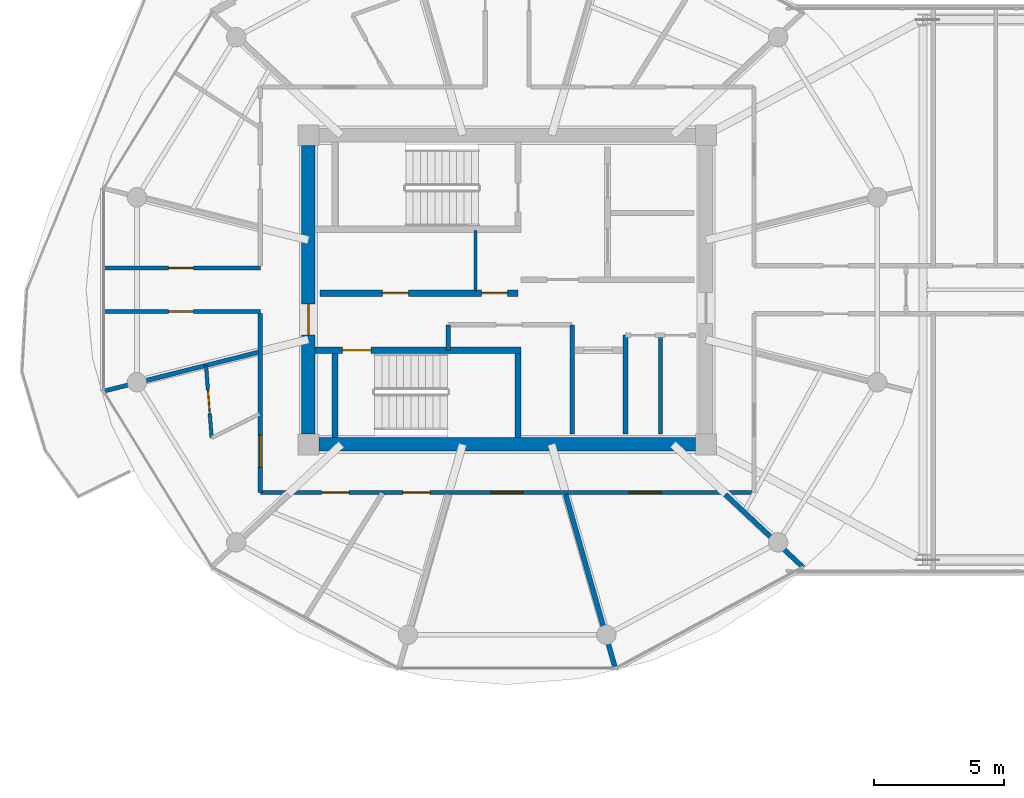
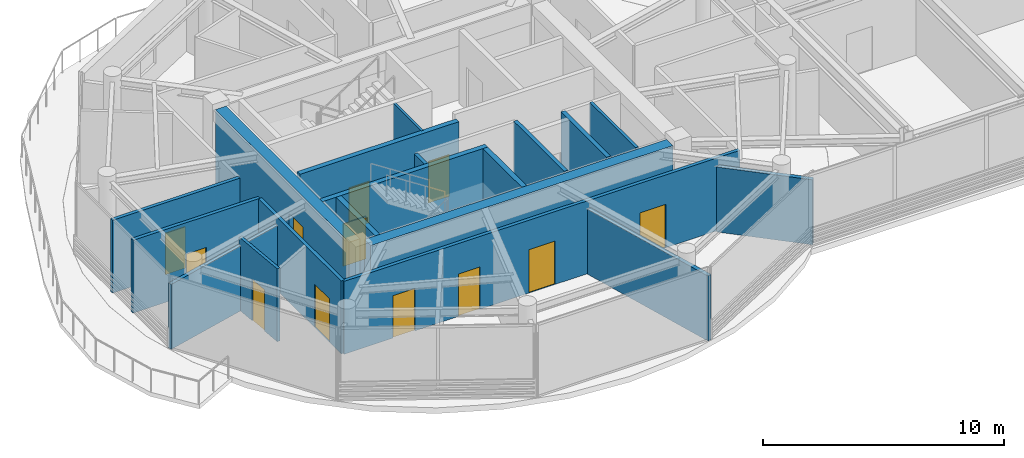
# One storey, part 13 of 24: 19 walls, 12 doors, 12 openings.
"""IFC4 building model written with IfcOpenShell, lengths in metres."""

from ifc_helpers import new_model, si_unit, direction, frame, frame_2d, origin, place, context, subcontext, project, spatial, rectangle, extrude, source, transform, mapped, material, layer, layer_set, type_object, type_shapes, element, fill, save


model = new_model("IFC4")

# Units and contexts
model_context = context("Model", 3, precision=1e-05, world=origin(), true_north=direction((0.0, 1.0)))
body_context = subcontext(model_context, "Body", "Model", "MODEL_VIEW")
ifc_project = project(units=[si_unit("LENGTHUNIT", "METRE"), si_unit("AREAUNIT", "SQUARE_METRE"), si_unit("VOLUMEUNIT", "CUBIC_METRE"), si_unit("PLANEANGLEUNIT", "RADIAN"), si_unit("MASSUNIT", "GRAM", prefix="KILO")], contexts=[model_context])

# Site, building, storey
site_placement = place(None, origin())
site = spatial("IfcSite", under=ifc_project, at=site_placement, CompositionType="ELEMENT")
building_placement = place(site_placement, origin())
building = spatial("IfcBuilding", under=site, at=building_placement, Name="Norrkilde Senior Care Towers", CompositionType="ELEMENT")
storey_placement = place(building_placement, frame((0.0, 0.0, 203.800048828125)))
storey = spatial("IfcBuildingStorey", under=building, at=storey_placement, Name="L63", CompositionType="ELEMENT", Elevation=203.800048828125)

# Wall
ifc_material_1 = material(Name="Concrete C50/60", Category="concrete")
ifc_layer_1 = layer(ifc_material_1, 0.52001953125)
ifc_layer_set_1 = layer_set([ifc_layer_1], Name="Concrete C50/60")
wall_type_1 = type_object("IfcWallType", Name="Core Shear Wall Z4 520", PredefinedType="SHEAR", material=ifc_layer_set_1)
shared_shape_1 = source(origin(), body_context, "Body", "SweptSolid", [
    extrude(rectangle(XDim=14.5, YDim=0.52001953125, at=frame_2d((7.25, 0.0))), origin(), (0.0, 0.0, 1.0), 3.7099609375),
])
wall_1_placement = place(storey_placement, frame((-20.75, -5.949951171875, 0.0), z_axis=(0.0, 0.0, 1.0), x_axis=(-1.0, 0.0, 0.0)))
element("IfcWall", 1, at=wall_1_placement, inside=storey, type_object=wall_type_1, Name="L63 Core W South Shear Wall", PredefinedType="SHEAR", context=body_context, shape_type="MappedRepresentation", body=[
    mapped(shared_shape_1, transform((0.0, 0.0, 0.0), x_axis=(1.0, 0.0, 0.0), y_axis=(0.0, 1.0, 0.0), z_axis=(0.0, 0.0, 1.0), scale=1.0)),
])

# Wall, opening, door
shared_shape_2 = source(origin(), body_context, "Body", "SweptSolid", [
    extrude(rectangle(XDim=11.10009765625, YDim=0.52001953125, at=frame_2d((5.550048828125, 0.0))), origin(), (0.0, 0.0, 1.0), 3.7099609375),
])
type_shapes(wall_type_1, [shared_shape_1, shared_shape_2])
wall_2_placement = place(storey_placement, frame((-35.64990234375, -5.550048828125, 0.0), z_axis=(0.0, 0.0, 1.0), x_axis=(0.0, 1.0, 0.0)))
wall_2 = element("IfcWall", 2, at=wall_2_placement, inside=storey, type_object=wall_type_1, Name="L63 Core W West Shear Wall", PredefinedType="SHEAR", context=body_context, shape_type="MappedRepresentation", body=[
    mapped(shared_shape_2, transform((0.0, 0.0, 0.0), x_axis=(1.0, 0.0, 0.0), y_axis=(0.0, 1.0, 0.0), z_axis=(0.0, 0.0, 1.0), scale=1.0)),
])
opening_1_placement = place(wall_2_placement, frame((3.800048828125, 0.0, 0.0)))
opening_1 = element("IfcOpeningElement", 3, at=opening_1_placement, cuts=wall_2, Name="Opening D-04", PredefinedType="OPENING", context=body_context, shape_type="SweptSolid", body=[
    extrude(rectangle(XDim=1.199951171875, YDim=2.14990234375, at=frame_2d((0.60009765625, 1.074951171875))), frame((0.0, 0.27001953125, 0.0), z_axis=(0.0, -1.0, 0.0), x_axis=(1.0, 0.0, 0.0)), (0.0, 0.0, 1.0), 0.5400390625),
])
ifc_material_2 = material(Name="Galvanised Painted Steel", Category="steel")
door_type_1 = type_object("IfcDoorType", Name="Firefighting Lobby Fire Door 1200x2150", OperationType="NOTDEFINED", PredefinedType="DOOR", material=ifc_material_2)
shared_shape_3 = source(origin(), body_context, "Body", "SweptSolid", [
    extrude(rectangle(XDim=1.199951171875, YDim=2.14990234375, at=frame_2d((0.60009765625, 1.074951171875))), frame((0.0, 0.02490234375, 0.0), z_axis=(0.0, -1.0, 0.0), x_axis=(1.0, 0.0, 0.0)), (0.0, 0.0, 1.0), 0.050048828125),
])
type_shapes(door_type_1, [shared_shape_3])
door_1_placement = place(opening_1_placement, frame((1.199951171875, 0.0, 0.0), z_axis=(0.0, 0.0, 1.0), x_axis=(-1.0, 0.0, 0.0)))
door_1 = element("IfcDoor", 4, at=door_1_placement, inside=storey, type_object=door_type_1, Name="L63 Core W West Portal Door", OperationType="SINGLE_SWING_LEFT", OverallHeight=2.14990234375, OverallWidth=1.199951171875, PredefinedType="DOOR", context=body_context, shape_type="MappedRepresentation", body=[
    mapped(shared_shape_3, transform((0.0, 0.0, 0.0), x_axis=(1.0, 0.0, 0.0), y_axis=(0.0, 1.0, 0.0), z_axis=(0.0, 0.0, 1.0), scale=1.0)),
])
fill(opening_1, door_1)

ifc_material_3 = material(Name="Concrete C45/55", Category="concrete")
ifc_layer_2 = layer(ifc_material_3, 0.239990234375)
ifc_layer_set_2 = layer_set([ifc_layer_2], Name="Concrete C45/55")
wall_type_2 = type_object("IfcWallType", Name="Shaft and Stair Enclosure Wall 240", PredefinedType="PARTITIONING", material=ifc_layer_set_2)
shared_shape_4 = source(origin(), body_context, "Body", "SweptSolid", [
    extrude(rectangle(XDim=7.929931640625, YDim=0.239990234375, at=frame_2d((3.96484375, 0.0))), origin(), (0.0, 0.0, 1.0), 3.7099609375),
])
wall_3_placement = place(storey_placement, frame((-35.389892578125, -2.330078125, 0.0), z_axis=(0.0, 0.0, 1.0), x_axis=(1.0, 0.0, 0.0)))
wall_3 = element("IfcWall", 5, at=wall_3_placement, inside=storey, type_object=wall_type_2, Name="WL-INT-L63-W-ST2N", PredefinedType="PARTITIONING", context=body_context, shape_type="MappedRepresentation", body=[
    mapped(shared_shape_4, transform((0.0, 0.0, 0.0), x_axis=(1.0, 0.0, 0.0), y_axis=(0.0, 1.0, 0.0), z_axis=(0.0, 0.0, 1.0), scale=1.0)),
])
opening_2_placement = place(wall_3_placement, frame((1.050048828125, 0.0, 0.0)))
opening_2 = element("IfcOpeningElement", 6, at=opening_2_placement, cuts=wall_3, Name="Opening D-03", PredefinedType="OPENING", context=body_context, shape_type="SweptSolid", body=[
    extrude(rectangle(XDim=1.10009765625, YDim=2.14990234375, at=frame_2d((0.550048828125, 1.074951171875))), frame((0.0, 0.1298828125, 0.0), z_axis=(0.0, -1.0, 0.0), x_axis=(1.0, 0.0, 0.0)), (0.0, 0.0, 1.0), 0.260009765625),
])
door_type_2 = type_object("IfcDoorType", Name="Stairwell Protected Fire Door 1100x2150", OperationType="NOTDEFINED", PredefinedType="DOOR", material=ifc_material_2)
shared_shape_5 = source(origin(), body_context, "Body", "SweptSolid", [
    extrude(rectangle(XDim=1.10009765625, YDim=2.14990234375, at=frame_2d((0.550048828125, 1.074951171875))), frame((0.0, 0.02490234375, 0.0), z_axis=(0.0, -1.0, 0.0), x_axis=(1.0, 0.0, 0.0)), (0.0, 0.0, 1.0), 0.050048828125),
])
type_shapes(door_type_2, [shared_shape_5])
door_2_placement = place(opening_2_placement, frame((1.10009765625, 0.0, 0.0), z_axis=(0.0, 0.0, 1.0), x_axis=(-1.0, 0.0, 0.0)))
door_2 = element("IfcDoor", 7, at=door_2_placement, inside=storey, type_object=door_type_2, Name="L63 Stair W2 Fire Door", OperationType="SINGLE_SWING_RIGHT", OverallHeight=2.14990234375, OverallWidth=1.10009765625, PredefinedType="DOOR", context=body_context, shape_type="MappedRepresentation", body=[
    mapped(shared_shape_5, transform((0.0, 0.0, 0.0), x_axis=(1.0, 0.0, 0.0), y_axis=(0.0, 1.0, 0.0), z_axis=(0.0, 0.0, 1.0), scale=1.0)),
])
fill(opening_2, door_2)

# Walls
shared_shape_6 = source(origin(), body_context, "Body", "SweptSolid", [
    extrude(rectangle(XDim=3.239990234375, YDim=0.239990234375, at=frame_2d((1.6201171875, 0.0))), origin(), (0.0, 0.0, 1.0), 3.7099609375),
])
type_shapes(wall_type_2, [shared_shape_4, shared_shape_6])
for number, where, z_axis, x_axis, name in (
    (8, (-34.6201171875, -5.68994140625, 0.0), (0.0, 0.0, 1.0), (0.0, 1.0, 0.0), "WL-INT-L63-W-ST2W"),
    (9, (-27.580078125, -5.68994140625, 0.0), (0.0, 0.0, 1.0), (0.0, 1.0, 0.0), "WL-INT-L63-W-ST2E"),
):
    element("IfcWall", number, at=place(storey_placement, frame(where, z_axis=z_axis, x_axis=x_axis)), inside=storey, type_object=wall_type_2, Name=name, PredefinedType="PARTITIONING", context=body_context, shape_type="MappedRepresentation", body=[
        mapped(shared_shape_6, transform((0.0, 0.0, 0.0), x_axis=(1.0, 0.0, 0.0), y_axis=(0.0, 1.0, 0.0), z_axis=(0.0, 0.0, 1.0), scale=1.0)),
    ])

# Wall, openings, doors
ifc_layer_3 = layer(ifc_material_3, 0.239990234375)
ifc_layer_set_3 = layer_set([ifc_layer_3], Name="Concrete C45/55")
wall_type_3 = type_object("IfcWallType", Name="Lift and Plant Rated Enclosure Partition 240", PredefinedType="PARTITIONING", material=ifc_layer_set_3)
shared_shape_7 = source(origin(), body_context, "Body", "SweptSolid", [
    extrude(rectangle(XDim=7.619873046875, YDim=0.239990234375, at=frame_2d((3.81005859375, 0.0))), origin(), (0.0, 0.0, 1.0), 3.695068359375),
])
type_shapes(wall_type_3, [shared_shape_7])
wall_4_placement = place(storey_placement, frame((-35.199951171875, -0.1298828125, 0.0), z_axis=(0.0, 0.0, 1.0), x_axis=(1.0, 0.0, 0.0)))
wall_4 = element("IfcWall", 10, at=wall_4_placement, inside=storey, type_object=wall_type_3, Name="WL-INT-L63-W-PKAS", PredefinedType="PARTITIONING", context=body_context, shape_type="MappedRepresentation", body=[
    mapped(shared_shape_7, transform((0.0, 0.0, 0.0), x_axis=(1.0, 0.0, 0.0), y_axis=(0.0, 1.0, 0.0), z_axis=(0.0, 0.0, 1.0), scale=1.0)),
])
opening_3_placement = place(wall_4_placement, frame((6.219970703125, 0.0, 0.0)))
opening_3 = element("IfcOpeningElement", 11, at=opening_3_placement, cuts=wall_4, Name="Opening D-10", PredefinedType="OPENING", context=body_context, shape_type="SweptSolid", body=[
    extrude(rectangle(XDim=1.0, YDim=2.10009765625, at=frame_2d((0.5, 1.050048828125))), frame((0.0, 0.1298828125, 0.0), z_axis=(0.0, -1.0, 0.0), x_axis=(1.0, 0.0, 0.0)), (0.0, 0.0, 1.0), 0.260009765625),
])
opening_4_placement = place(wall_4_placement, frame((2.39990234375, 0.0, 0.0)))
opening_4 = element("IfcOpeningElement", 12, at=opening_4_placement, cuts=wall_4, Name="Opening D-10", PredefinedType="OPENING", context=body_context, shape_type="SweptSolid", body=[
    extrude(rectangle(XDim=1.0, YDim=2.10009765625, at=frame_2d((0.5, 1.050048828125))), frame((0.0, 0.1298828125, 0.0), z_axis=(0.0, -1.0, 0.0), x_axis=(1.0, 0.0, 0.0)), (0.0, 0.0, 1.0), 0.260009765625),
])
door_type_3 = type_object("IfcDoorType", Name="Plant and Riser Rated Door 1000x2100", OperationType="NOTDEFINED", PredefinedType="DOOR", material=ifc_material_2)
shared_shape_8 = source(origin(), body_context, "Body", "SweptSolid", [
    extrude(rectangle(XDim=1.0, YDim=2.10009765625, at=frame_2d((0.5, 1.050048828125))), frame((0.0, 0.02490234375, 0.0), z_axis=(0.0, -1.0, 0.0), x_axis=(1.0, 0.0, 0.0)), (0.0, 0.0, 1.0), 0.050048828125),
])
type_shapes(door_type_3, [shared_shape_8])
door_3_placement = place(opening_3_placement, frame((1.0, 0.0, 0.0), z_axis=(0.0, 0.0, 1.0), x_axis=(-1.0, 0.0, 0.0)))
door_3 = element("IfcDoor", 13, at=door_3_placement, inside=storey, type_object=door_type_3, Name="L63 Electrical Riser W Door", OperationType="SINGLE_SWING_LEFT", OverallHeight=2.10009765625, OverallWidth=1.0, PredefinedType="DOOR", context=body_context, shape_type="MappedRepresentation", body=[
    mapped(shared_shape_8, transform((0.0, 0.0, 0.0), x_axis=(1.0, 0.0, 0.0), y_axis=(0.0, 1.0, 0.0), z_axis=(0.0, 0.0, 1.0), scale=1.0)),
])
fill(opening_3, door_3)
door_4_placement = place(opening_4_placement, frame((1.0, 0.0, 0.0), z_axis=(0.0, 0.0, 1.0), x_axis=(-1.0, 0.0, 0.0)))
door_4 = element("IfcDoor", 14, at=door_4_placement, inside=storey, type_object=door_type_3, Name="L63 Clean Supply Store W Door", OperationType="SINGLE_SWING_LEFT", OverallHeight=2.10009765625, OverallWidth=1.0, PredefinedType="DOOR", context=body_context, shape_type="MappedRepresentation", body=[
    mapped(shared_shape_8, transform((0.0, 0.0, 0.0), x_axis=(1.0, 0.0, 0.0), y_axis=(0.0, 1.0, 0.0), z_axis=(0.0, 0.0, 1.0), scale=1.0)),
])
fill(opening_4, door_4)

# Walls
ifc_material_4 = material(Name="Gypsum Acoustic Board")
ifc_layer_4 = layer(ifc_material_4, 0.114990234375)
ifc_layer_set_4 = layer_set([ifc_layer_4], Name="Gypsum Acoustic Board")
wall_type_4 = type_object("IfcWallType", Name="Internal Room Partition 115", PredefinedType="PARTITIONING", material=ifc_layer_set_4)
shared_shape_9 = source(origin(), body_context, "Body", "SweptSolid", [
    extrude(rectangle(XDim=2.330078125, YDim=0.114990234375, at=frame_2d((1.1650390625, 0.0))), origin(), (0.0, 0.0, 1.0), 3.695068359375),
])
type_shapes(wall_type_4, [shared_shape_9])
wall_5_placement = place(storey_placement, frame((-29.2099609375, -0.050048828125, 0.0), z_axis=(0.0, 0.0, 1.0), x_axis=(0.0, 1.0, 0.0)))
element("IfcWall", 15, at=wall_5_placement, inside=storey, type_object=wall_type_4, Name="WL-INT-L63-W-RISW", PredefinedType="PARTITIONING", context=body_context, shape_type="MappedRepresentation", body=[
    mapped(shared_shape_9, transform((0.0, 0.0, 0.0), x_axis=(1.0, 0.0, 0.0), y_axis=(0.0, 1.0, 0.0), z_axis=(0.0, 0.0, 1.0), scale=1.0)),
])
ifc_layer_5 = layer(ifc_material_3, 0.199951171875)
ifc_layer_set_5 = layer_set([ifc_layer_5], Name="Concrete C45/55")
wall_type_5 = type_object("IfcWallType", Name="Shaft Division and Plant Partition 200", PredefinedType="PARTITIONING", material=ifc_layer_set_5)
shared_shape_10 = source(origin(), body_context, "Body", "SweptSolid", [
    extrude(rectangle(XDim=3.800048828125, YDim=0.199951171875, at=frame_2d((1.89990234375, 0.0))), origin(), (0.0, 0.0, 1.0), 3.695068359375),
])
type_shapes(wall_type_5, [shared_shape_10])
wall_6_placement = place(storey_placement, frame((-23.449951171875, -5.550048828125, 0.0), z_axis=(0.0, 0.0, 1.0), x_axis=(0.0, 1.0, 0.0)))
element("IfcWall", 16, at=wall_6_placement, inside=storey, type_object=wall_type_5, Name="WL-INT-L63-W-PKBE", PredefinedType="PARTITIONING", context=body_context, shape_type="MappedRepresentation", body=[
    mapped(shared_shape_10, transform((0.0, 0.0, 0.0), x_axis=(1.0, 0.0, 0.0), y_axis=(0.0, 1.0, 0.0), z_axis=(0.0, 0.0, 1.0), scale=1.0)),
])
ifc_layer_6 = layer(ifc_material_3, 0.179931640625)
ifc_layer_set_6 = layer_set([ifc_layer_6], Name="Concrete C45/55")
wall_type_6 = type_object("IfcWallType", Name="Hoistway Division Rated Partition 180", PredefinedType="PARTITIONING", material=ifc_layer_set_6)
shared_shape_11 = source(origin(), body_context, "Body", "SweptSolid", [
    extrude(rectangle(XDim=4.199951171875, YDim=0.179931640625, at=frame_2d((2.10009765625, 0.0))), origin(), (0.0, 0.0, 1.0), 3.695068359375),
])
type_shapes(wall_type_6, [shared_shape_11])
wall_7_placement = place(storey_placement, frame((-25.5, -5.550048828125, 0.0), z_axis=(0.0, 0.0, 1.0), x_axis=(0.0, 1.0, 0.0)))
element("IfcWall", 17, at=wall_7_placement, inside=storey, type_object=wall_type_6, Name="WL-INT-L63-W-PL4W", PredefinedType="PARTITIONING", context=body_context, shape_type="MappedRepresentation", body=[
    mapped(shared_shape_11, transform((0.0, 0.0, 0.0), x_axis=(1.0, 0.0, 0.0), y_axis=(0.0, 1.0, 0.0), z_axis=(0.0, 0.0, 1.0), scale=1.0)),
])
ifc_layer_7 = layer(ifc_material_4, 0.1650390625)
ifc_layer_set_7 = layer_set([ifc_layer_7], Name="Gypsum Acoustic Board")
wall_type_7 = type_object("IfcWallType", Name="Corridor Rated Partition 165", PredefinedType="PARTITIONING", material=ifc_layer_set_7)
shared_shape_12 = source(origin(), body_context, "Body", "SweptSolid", [
    extrude(rectangle(XDim=0.97998046875, YDim=0.1650390625, at=frame_2d((0.489990234375, 0.0))), origin(), (0.0, 0.0, 1.0), 3.695068359375),
])
wall_8_placement = place(storey_placement, frame((-30.27001953125, -2.330078125, 0.0), z_axis=(0.0, 0.0, 1.0), x_axis=(0.0, 1.0, 0.0)))
element("IfcWall", 18, at=wall_8_placement, inside=storey, type_object=wall_type_7, Name="WL-INT-L63-W-FR2W", PredefinedType="PARTITIONING", context=body_context, shape_type="MappedRepresentation", body=[
    mapped(shared_shape_12, transform((0.0, 0.0, 0.0), x_axis=(1.0, 0.0, 0.0), y_axis=(0.0, 1.0, 0.0), z_axis=(0.0, 0.0, 1.0), scale=1.0)),
])
ifc_layer_8 = layer(ifc_material_4, 0.139892578125)
ifc_layer_set_8 = layer_set([ifc_layer_8], Name="Gypsum Acoustic Board")
wall_type_8 = type_object("IfcWallType", Name="En-suite Wet Room Wall 140", PredefinedType="PARTITIONING", material=ifc_layer_set_8)
shared_shape_13 = source(origin(), body_context, "Body", "SweptSolid", [
    extrude(rectangle(XDim=3.800048828125, YDim=0.139892578125, at=frame_2d((1.89990234375, 0.0))), origin(), (0.0, 0.0, 1.0), 3.695068359375),
])
wall_9_placement = place(storey_placement, frame((-22.10009765625, -5.550048828125, 0.0), z_axis=(0.0, 0.0, 1.0), x_axis=(0.0, 1.0, 0.0)))
element("IfcWall", 19, at=wall_9_placement, inside=storey, type_object=wall_type_8, Name="WL-INT-L63-W-CS1V", PredefinedType="PARTITIONING", context=body_context, shape_type="MappedRepresentation", body=[
    mapped(shared_shape_13, transform((0.0, 0.0, 0.0), x_axis=(1.0, 0.0, 0.0), y_axis=(0.0, 1.0, 0.0), z_axis=(0.0, 0.0, 1.0), scale=1.0)),
])

# Wall, openings, doors
shared_shape_14 = source(origin(), body_context, "Body", "SweptSolid", [
    extrude(rectangle(XDim=19.0, YDim=0.1650390625, at=frame_2d((9.5, 0.0))), origin(), (0.0, 0.0, 1.0), 3.695068359375),
])
wall_10_placement = place(storey_placement, frame((-18.5, -7.800048828125, 0.0), z_axis=(0.0, 0.0, 1.0), x_axis=(-1.0, 0.0, 0.0)))
wall_10 = element("IfcWall", 20, at=wall_10_placement, inside=storey, type_object=wall_type_7, Name="WL-INT-L63-W-CRW-S-0", PredefinedType="PARTITIONING", context=body_context, shape_type="MappedRepresentation", body=[
    mapped(shared_shape_14, transform((0.0, 0.0, 0.0), x_axis=(1.0, 0.0, 0.0), y_axis=(0.0, 1.0, 0.0), z_axis=(0.0, 0.0, 1.0), scale=1.0)),
])
opening_5_placement = place(wall_10_placement, frame((15.586181640625, 0.0, 0.0)))
opening_5 = element("IfcOpeningElement", 21, at=opening_5_placement, cuts=wall_10, Name="Opening D-06", PredefinedType="OPENING", context=body_context, shape_type="SweptSolid", body=[
    extrude(rectangle(XDim=1.050048828125, YDim=2.14990234375, at=frame_2d((0.52490234375, 1.074951171875))), frame((0.0, 0.092529296875, 0.0), z_axis=(0.0, -1.0, 0.0), x_axis=(1.0, 0.0, 0.0)), (0.0, 0.0, 1.0), 0.18505859375),
])
opening_6_placement = place(wall_10_placement, frame((12.465087890625, 0.0, 0.0)))
opening_6 = element("IfcOpeningElement", 22, at=opening_6_placement, cuts=wall_10, Name="Opening D-06", PredefinedType="OPENING", context=body_context, shape_type="SweptSolid", body=[
    extrude(rectangle(XDim=1.050048828125, YDim=2.14990234375, at=frame_2d((0.52490234375, 1.074951171875))), frame((0.0, 0.092529296875, 0.0), z_axis=(0.0, -1.0, 0.0), x_axis=(1.0, 0.0, 0.0)), (0.0, 0.0, 1.0), 0.18505859375),
])
opening_7_placement = place(wall_10_placement, frame((8.875, 0.0, 0.0)))
opening_7 = element("IfcOpeningElement", 23, at=opening_7_placement, cuts=wall_10, Name="Opening D-05", PredefinedType="OPENING", context=body_context, shape_type="SweptSolid", body=[
    extrude(rectangle(XDim=1.25, YDim=2.199951171875, at=frame_2d((0.625, 1.10009765625))), frame((0.0, 0.092529296875, 0.0), z_axis=(0.0, -1.0, 0.0), x_axis=(1.0, 0.0, 0.0)), (0.0, 0.0, 1.0), 0.18505859375),
])
opening_8_placement = place(wall_10_placement, frame((3.55859375, 0.0, 0.0)))
opening_8 = element("IfcOpeningElement", 24, at=opening_8_placement, cuts=wall_10, Name="Opening D-05", PredefinedType="OPENING", context=body_context, shape_type="SweptSolid", body=[
    extrude(rectangle(XDim=1.25, YDim=2.199951171875, at=frame_2d((0.625, 1.10009765625))), frame((0.0, 0.092529296875, 0.0), z_axis=(0.0, -1.0, 0.0), x_axis=(1.0, 0.0, 0.0)), (0.0, 0.0, 1.0), 0.18505859375),
])
ifc_material_5 = material(Name="Nordic Ash Timber", Category="wood")
door_type_4 = type_object("IfcDoorType", Name="Care Bedroom Bariatric Door 1250x2200", OperationType="NOTDEFINED", PredefinedType="DOOR", material=ifc_material_5)
shared_shape_15 = source(origin(), body_context, "Body", "SweptSolid", [
    extrude(rectangle(XDim=1.25, YDim=2.199951171875, at=frame_2d((0.625, 1.10009765625))), frame((0.0, 0.02490234375, 0.0), z_axis=(0.0, -1.0, 0.0), x_axis=(1.0, 0.0, 0.0)), (0.0, 0.0, 1.0), 0.050048828125),
])
type_shapes(door_type_4, [shared_shape_15])
door_5_placement = place(opening_7_placement, frame((1.25, 0.0, 0.0), z_axis=(0.0, 0.0, 1.0), x_axis=(-1.0, 0.0, 0.0)))
door_5 = element("IfcDoor", 25, at=door_5_placement, inside=storey, type_object=door_type_4, Name="L63 Household Communal Dining Salon Door", OperationType="SINGLE_SWING_LEFT", OverallHeight=2.199951171875, OverallWidth=1.25, PredefinedType="DOOR", context=body_context, shape_type="MappedRepresentation", body=[
    mapped(shared_shape_15, transform((0.0, 0.0, 0.0), x_axis=(1.0, 0.0, 0.0), y_axis=(0.0, 1.0, 0.0), z_axis=(0.0, 0.0, 1.0), scale=1.0)),
])
fill(opening_7, door_5)
door_6_placement = place(opening_8_placement, frame((1.25, 0.0, 0.0), z_axis=(0.0, 0.0, 1.0), x_axis=(-1.0, 0.0, 0.0)))
door_6 = element("IfcDoor", 26, at=door_6_placement, inside=storey, type_object=door_type_4, Name="L63 Household Therapeutic Kitchen Door", OperationType="SINGLE_SWING_RIGHT", OverallHeight=2.199951171875, OverallWidth=1.25, PredefinedType="DOOR", context=body_context, shape_type="MappedRepresentation", body=[
    mapped(shared_shape_15, transform((0.0, 0.0, 0.0), x_axis=(1.0, 0.0, 0.0), y_axis=(0.0, 1.0, 0.0), z_axis=(0.0, 0.0, 1.0), scale=1.0)),
])
fill(opening_8, door_6)
door_type_5 = type_object("IfcDoorType", Name="Apartment Entrance Fire Door 1050x2150", OperationType="NOTDEFINED", PredefinedType="DOOR", material=ifc_material_5)
shared_shape_16 = source(origin(), body_context, "Body", "SweptSolid", [
    extrude(rectangle(XDim=1.050048828125, YDim=2.14990234375, at=frame_2d((0.52490234375, 1.074951171875))), frame((0.0, 0.02490234375, 0.0), z_axis=(0.0, -1.0, 0.0), x_axis=(1.0, 0.0, 0.0)), (0.0, 0.0, 1.0), 0.050048828125),
])
type_shapes(door_type_5, [shared_shape_16])
door_7_placement = place(opening_5_placement, frame((1.050048828125, 0.0, 0.0), z_axis=(0.0, 0.0, 1.0), x_axis=(-1.0, 0.0, 0.0)))
door_7 = element("IfcDoor", 27, at=door_7_placement, inside=storey, type_object=door_type_5, Name="L63 Physiotherapy Clinic 7A Door", OperationType="SINGLE_SWING_RIGHT", OverallHeight=2.14990234375, OverallWidth=1.050048828125, PredefinedType="DOOR", context=body_context, shape_type="MappedRepresentation", body=[
    mapped(shared_shape_16, transform((0.0, 0.0, 0.0), x_axis=(1.0, 0.0, 0.0), y_axis=(0.0, 1.0, 0.0), z_axis=(0.0, 0.0, 1.0), scale=1.0)),
])
fill(opening_5, door_7)
door_8_placement = place(opening_6_placement, frame((1.050048828125, 0.0, 0.0), z_axis=(0.0, 0.0, 1.0), x_axis=(-1.0, 0.0, 0.0)))
door_8 = element("IfcDoor", 28, at=door_8_placement, inside=storey, type_object=door_type_5, Name="L63 Assessment Clinic 7B Door", OperationType="SINGLE_SWING_LEFT", OverallHeight=2.14990234375, OverallWidth=1.050048828125, PredefinedType="DOOR", context=body_context, shape_type="MappedRepresentation", body=[
    mapped(shared_shape_16, transform((0.0, 0.0, 0.0), x_axis=(1.0, 0.0, 0.0), y_axis=(0.0, 1.0, 0.0), z_axis=(0.0, 0.0, 1.0), scale=1.0)),
])
fill(opening_6, door_8)

# Wall, opening, door
shared_shape_17 = source(origin(), body_context, "Body", "SweptSolid", [
    extrude(rectangle(XDim=6.880126953125, YDim=0.1650390625, at=frame_2d((3.43994140625, 0.0))), origin(), (0.0, 0.0, 1.0), 3.695068359375),
])
wall_11_placement = place(storey_placement, frame((-37.5, -7.800048828125, 0.0), z_axis=(0.0, 0.0, 1.0), x_axis=(0.0, 1.0, 0.0)))
wall_11 = element("IfcWall", 29, at=wall_11_placement, inside=storey, type_object=wall_type_7, Name="WL-INT-L63-W-CRW-W-0", PredefinedType="PARTITIONING", context=body_context, shape_type="MappedRepresentation", body=[
    mapped(shared_shape_17, transform((0.0, 0.0, 0.0), x_axis=(1.0, 0.0, 0.0), y_axis=(0.0, 1.0, 0.0), z_axis=(0.0, 0.0, 1.0), scale=1.0)),
])
opening_9_placement = place(wall_11_placement, frame((0.96826171875, 0.0, 0.0)))
opening_9 = element("IfcOpeningElement", 30, at=opening_9_placement, cuts=wall_11, Name="Opening D-05", PredefinedType="OPENING", context=body_context, shape_type="SweptSolid", body=[
    extrude(rectangle(XDim=1.25, YDim=2.199951171875, at=frame_2d((0.625, 1.10009765625))), frame((0.0, 0.092529296875, 0.0), z_axis=(0.0, -1.0, 0.0), x_axis=(1.0, 0.0, 0.0)), (0.0, 0.0, 1.0), 0.18505859375),
])
door_9_placement = place(opening_9_placement, frame((1.25, 0.0, 0.0), z_axis=(0.0, 0.0, 1.0), x_axis=(-1.0, 0.0, 0.0)))
door_9 = element("IfcDoor", 31, at=door_9_placement, inside=storey, type_object=door_type_4, Name="L63 Care Suite 6306 Entrance Door", OperationType="SINGLE_SWING_LEFT", OverallHeight=2.199951171875, OverallWidth=1.25, PredefinedType="DOOR", context=body_context, shape_type="MappedRepresentation", body=[
    mapped(shared_shape_15, transform((0.0, 0.0, 0.0), x_axis=(1.0, 0.0, 0.0), y_axis=(0.0, 1.0, 0.0), z_axis=(0.0, 0.0, 1.0), scale=1.0)),
])
fill(opening_9, door_9)

# Wall
shared_shape_18 = source(origin(), body_context, "Body", "SweptSolid", [
    extrude(rectangle(XDim=6.1572265625, YDim=0.1650390625, at=frame_2d((3.07861328125, 0.0))), origin(), (0.0, 0.0, 1.0), 3.294921875),
])
wall_12_placement = place(storey_placement, frame((-37.580078125, -2.407470703125, 0.0), z_axis=(0.0, 0.0, 1.0), x_axis=(-0.969840867184, -0.243738984038, 0.0)))
element("IfcWall", 32, at=wall_12_placement, inside=storey, type_object=wall_type_7, Name="WL-INT-L63-W-DEM-06-0", PredefinedType="PARTITIONING", context=body_context, shape_type="MappedRepresentation", body=[
    mapped(shared_shape_18, transform((0.0, 0.0, 0.0), x_axis=(1.0, 0.0, 0.0), y_axis=(0.0, 1.0, 0.0), z_axis=(0.0, 0.0, 1.0), scale=1.0)),
])

# Wall, opening, door
shared_shape_19 = source(origin(), body_context, "Body", "SweptSolid", [
    extrude(rectangle(XDim=6.101318359375, YDim=0.1650390625, at=frame_2d((3.05078125, 0.0))), origin(), (0.0, 0.0, 1.0), 3.695068359375),
])
type_shapes(wall_type_7, [shared_shape_12, shared_shape_14, shared_shape_17, shared_shape_18, shared_shape_19])
wall_13_placement = place(storey_placement, frame((-43.601318359375, 0.840087890625, 0.0), z_axis=(0.0, 0.0, 1.0), x_axis=(1.0, 0.0, 0.0)))
wall_13 = element("IfcWall", 33, at=wall_13_placement, inside=storey, type_object=wall_type_7, Name="WL-INT-L63-W-SPK-W1-0", PredefinedType="PARTITIONING", context=body_context, shape_type="MappedRepresentation", body=[
    mapped(shared_shape_19, transform((0.0, 0.0, 0.0), x_axis=(1.0, 0.0, 0.0), y_axis=(0.0, 1.0, 0.0), z_axis=(0.0, 0.0, 1.0), scale=1.0)),
])
opening_10_placement = place(wall_13_placement, frame((2.57568359375, 0.0, 0.0)))
opening_10 = element("IfcOpeningElement", 34, at=opening_10_placement, cuts=wall_13, Name="Opening D-07", PredefinedType="OPENING", context=body_context, shape_type="SweptSolid", body=[
    extrude(rectangle(XDim=0.949951171875, YDim=2.10009765625, at=frame_2d((0.47509765625, 1.050048828125))), frame((0.0, 0.092529296875, 0.0), z_axis=(0.0, -1.0, 0.0), x_axis=(1.0, 0.0, 0.0)), (0.0, 0.0, 1.0), 0.18505859375),
])
door_type_6 = type_object("IfcDoorType", Name="Internal Suite Bedroom Door 950x2100", OperationType="NOTDEFINED", PredefinedType="DOOR", material=ifc_material_5)
shared_shape_20 = source(origin(), body_context, "Body", "SweptSolid", [
    extrude(rectangle(XDim=0.949951171875, YDim=2.10009765625, at=frame_2d((0.47509765625, 1.050048828125))), frame((0.0, 0.02490234375, 0.0), z_axis=(0.0, -1.0, 0.0), x_axis=(1.0, 0.0, 0.0)), (0.0, 0.0, 1.0), 0.050048828125),
])
type_shapes(door_type_6, [shared_shape_20])
door_10_placement = place(opening_10_placement, frame((0.949951171875, 0.0, 0.0), z_axis=(0.0, 0.0, 1.0), x_axis=(-1.0, 0.0, 0.0)))
door_10 = element("IfcDoor", 35, at=door_10_placement, inside=storey, type_object=door_type_6, Name="L63 Sun Reading Lounge 2 Door", OperationType="SINGLE_SWING_LEFT", OverallHeight=2.10009765625, OverallWidth=0.949951171875, PredefinedType="DOOR", context=body_context, shape_type="MappedRepresentation", body=[
    mapped(shared_shape_20, transform((0.0, 0.0, 0.0), x_axis=(1.0, 0.0, 0.0), y_axis=(0.0, 1.0, 0.0), z_axis=(0.0, 0.0, 1.0), scale=1.0)),
])
fill(opening_10, door_10)

wall_14_placement = place(storey_placement, frame((-37.5, -0.840087890625, 0.0), z_axis=(0.0, 0.0, 1.0), x_axis=(-1.0, 0.0, 0.0)))
wall_14 = element("IfcWall", 36, at=wall_14_placement, inside=storey, type_object=wall_type_7, Name="WL-INT-L63-W-SPK-W2-0", PredefinedType="PARTITIONING", context=body_context, shape_type="MappedRepresentation", body=[
    mapped(shared_shape_19, transform((0.0, 0.0, 0.0), x_axis=(1.0, 0.0, 0.0), y_axis=(0.0, 1.0, 0.0), z_axis=(0.0, 0.0, 1.0), scale=1.0)),
])
opening_11_placement = place(wall_14_placement, frame((2.57568359375, 0.0, 0.0)))
opening_11 = element("IfcOpeningElement", 37, at=opening_11_placement, cuts=wall_14, Name="Opening D-07", PredefinedType="OPENING", context=body_context, shape_type="SweptSolid", body=[
    extrude(rectangle(XDim=0.949951171875, YDim=2.10009765625, at=frame_2d((0.47509765625, 1.050048828125))), frame((0.0, 0.092529296875, 0.0), z_axis=(0.0, -1.0, 0.0), x_axis=(1.0, 0.0, 0.0)), (0.0, 0.0, 1.0), 0.18505859375),
])
door_11_placement = place(opening_11_placement, frame((0.949951171875, 0.0, 0.0), z_axis=(0.0, 0.0, 1.0), x_axis=(-1.0, 0.0, 0.0)))
door_11 = element("IfcDoor", 38, at=door_11_placement, inside=storey, type_object=door_type_6, Name="L63 Sun Reading Lounge 1 Door", OperationType="SINGLE_SWING_RIGHT", OverallHeight=2.10009765625, OverallWidth=0.949951171875, PredefinedType="DOOR", context=body_context, shape_type="MappedRepresentation", body=[
    mapped(shared_shape_20, transform((0.0, 0.0, 0.0), x_axis=(1.0, 0.0, 0.0), y_axis=(0.0, 1.0, 0.0), z_axis=(0.0, 0.0, 1.0), scale=1.0)),
])
fill(opening_11, door_11)

# Wall
ifc_layer_9 = layer(ifc_material_4, 0.18994140625)
ifc_layer_set_9 = layer_set([ifc_layer_9], Name="Gypsum Acoustic Board")
wall_type_9 = type_object("IfcWallType", Name="Unit Demising Acoustic Wall 190", PredefinedType="PARTITIONING", material=ifc_layer_set_9)
shared_shape_21 = source(origin(), body_context, "Body", "SweptSolid", [
    extrude(rectangle(XDim=4.089111328125, YDim=0.18994140625, at=frame_2d((2.04443359375, 0.0))), origin(), (0.0, 0.0, 1.0), 3.294921875),
])
wall_15_placement = place(storey_placement, frame((-19.59814453125, -7.8798828125, 0.0), z_axis=(0.0, 0.0, 1.0), x_axis=(0.729401273609, -0.684086092577, 0.0)))
element("IfcWall", 39, at=wall_15_placement, inside=storey, type_object=wall_type_9, Name="WL-INT-L63-W-DEM-10-0", PredefinedType="PARTITIONING", context=body_context, shape_type="MappedRepresentation", body=[
    mapped(shared_shape_21, transform((0.0, 0.0, 0.0), x_axis=(1.0, 0.0, 0.0), y_axis=(0.0, 1.0, 0.0), z_axis=(0.0, 0.0, 1.0), scale=1.0)),
])

# Wall, opening, door
shared_shape_22 = source(origin(), body_context, "Body", "SweptSolid", [
    extrude(rectangle(XDim=2.79833984375, YDim=0.139892578125, at=frame_2d((1.399169921875, 0.0))), origin(), (0.0, 0.0, 1.0), 3.695068359375),
])
type_shapes(wall_type_8, [shared_shape_13, shared_shape_22])
wall_16_placement = place(storey_placement, frame((-39.371337890625, -5.701416015625, 0.0), z_axis=(0.0, 0.0, 1.0), x_axis=(-0.077823984089, 0.996967114553, 0.0)))
wall_16 = element("IfcWall", 40, at=wall_16_placement, inside=storey, type_object=wall_type_8, Name="WL-INT-L63-W-EF-06", PredefinedType="PARTITIONING", context=body_context, shape_type="MappedRepresentation", body=[
    mapped(shared_shape_22, transform((0.0, 0.0, 0.0), x_axis=(1.0, 0.0, 0.0), y_axis=(0.0, 1.0, 0.0), z_axis=(0.0, 0.0, 1.0), scale=1.0)),
])
opening_12_placement = place(wall_16_placement, frame((0.939208984375, 0.0, 0.0)))
opening_12 = element("IfcOpeningElement", 41, at=opening_12_placement, cuts=wall_16, Name="Opening D-08", PredefinedType="OPENING", context=body_context, shape_type="SweptSolid", body=[
    extrude(rectangle(XDim=0.919921875, YDim=2.10009765625, at=frame_2d((0.4599609375, 1.050048828125))), frame((0.0, 0.079833984375, 0.0), z_axis=(0.0, -1.0, 0.0), x_axis=(1.0, 0.0, 0.0)), (0.0, 0.0, 1.0), 0.159912109375),
])
door_type_7 = type_object("IfcDoorType", Name="Accessible Wet Room Door 920x2100", OperationType="NOTDEFINED", PredefinedType="DOOR", material=ifc_material_5)
shared_shape_23 = source(origin(), body_context, "Body", "SweptSolid", [
    extrude(rectangle(XDim=0.919921875, YDim=2.10009765625, at=frame_2d((0.4599609375, 1.050048828125))), frame((0.0, 0.02490234375, 0.0), z_axis=(0.0, -1.0, 0.0), x_axis=(1.0, 0.0, 0.0)), (0.0, 0.0, 1.0), 0.050048828125),
])
type_shapes(door_type_7, [shared_shape_23])
door_12_placement = place(opening_12_placement, origin())
door_12 = element("IfcDoor", 42, at=door_12_placement, inside=storey, type_object=door_type_7, Name="L63 Care Suite 6306 Bathroom Door", OperationType="SINGLE_SWING_RIGHT", OverallHeight=2.10009765625, OverallWidth=0.919921875, PredefinedType="DOOR", context=body_context, shape_type="MappedRepresentation", body=[
    mapped(shared_shape_23, transform((0.0, 0.0, 0.0), x_axis=(1.0, 0.0, 0.0), y_axis=(0.0, 1.0, 0.0), z_axis=(0.0, 0.0, 1.0), scale=1.0)),
])
fill(opening_12, door_12)

# Wall
shared_shape_24 = source(origin(), body_context, "Body", "SweptSolid", [
    extrude(rectangle(XDim=6.973876953125, YDim=0.18994140625, at=frame_2d((3.48681640625, 0.0))), origin(), (0.0, 0.0, 1.0), 3.294921875),
])
type_shapes(wall_type_9, [shared_shape_21, shared_shape_24])
wall_17_placement = place(storey_placement, frame((-25.748779296875, -7.8798828125, 0.0), z_axis=(0.0, 0.0, 1.0), x_axis=(0.274707256801, -0.961527910703, 0.0)))
element("IfcWall", 43, at=wall_17_placement, inside=storey, type_object=wall_type_9, Name="WL-INT-L63-W-DEM-09-0", PredefinedType="PARTITIONING", context=body_context, shape_type="MappedRepresentation", body=[
    mapped(shared_shape_24, transform((0.0, 0.0, 0.0), x_axis=(1.0, 0.0, 0.0), y_axis=(0.0, 1.0, 0.0), z_axis=(0.0, 0.0, 1.0), scale=1.0)),
])

save(model, "model.ifc")
